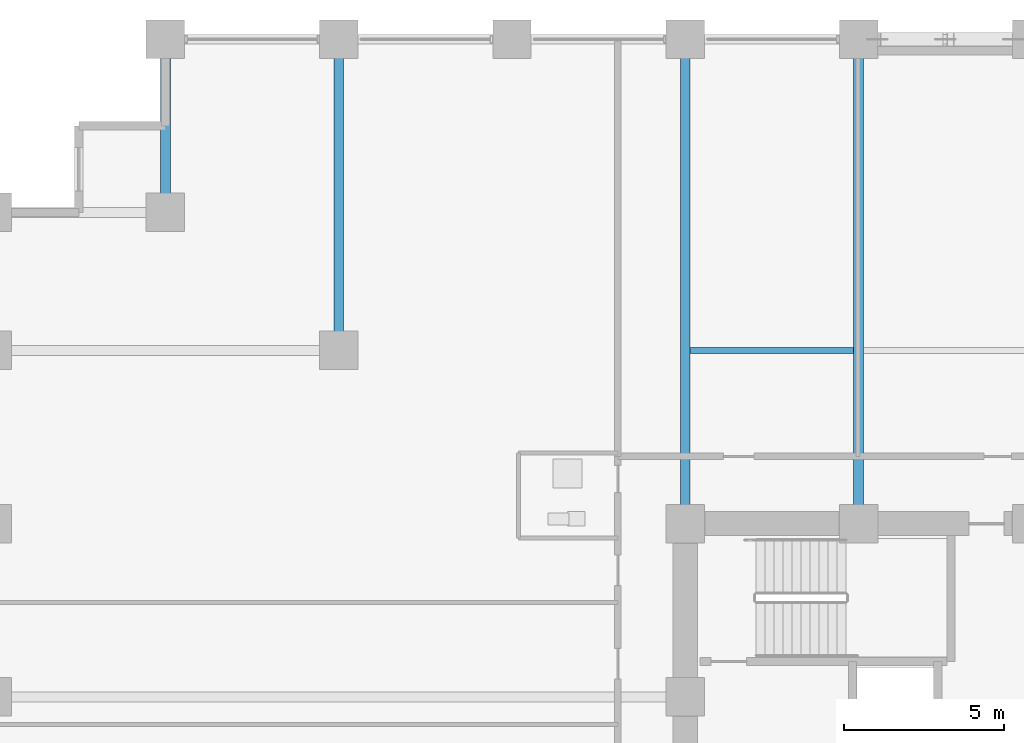
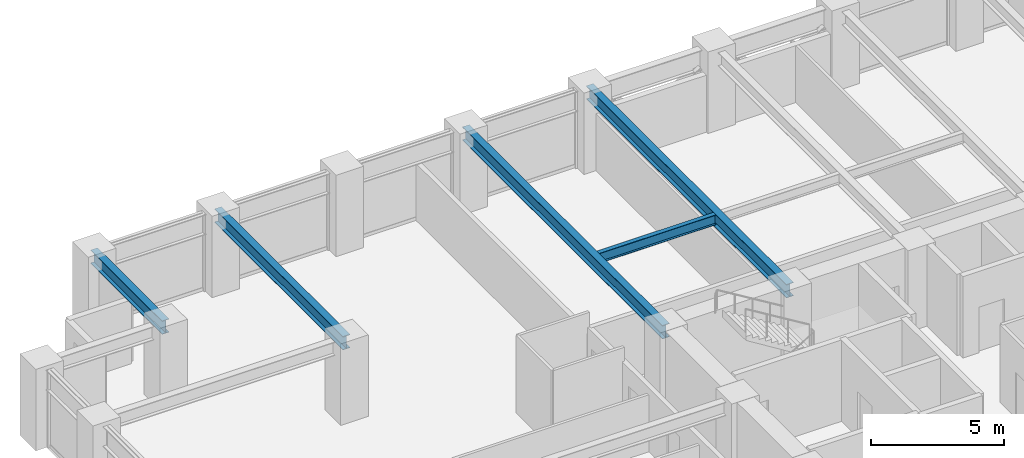
# One storey, part 11 of 28: 5 beams.
"""IFC4 building model written with IfcOpenShell, lengths in metres."""

from ifc_helpers import new_model, si_unit, direction, frame, origin, origin_2d, place, context, subcontext, project, spatial, i_section, extrude, material, material_profile, profile_set, type_object, element, save


model = new_model("IFC4")

# Units and contexts
model_context = context("Model", 3, precision=1e-05, world=origin(), true_north=direction((0.0, 1.0)))
body_context = subcontext(model_context, "Body", "Model", "MODEL_VIEW")
ifc_project = project(units=[si_unit("LENGTHUNIT", "METRE"), si_unit("AREAUNIT", "SQUARE_METRE"), si_unit("VOLUMEUNIT", "CUBIC_METRE"), si_unit("PLANEANGLEUNIT", "RADIAN"), si_unit("MASSUNIT", "GRAM", prefix="KILO")], contexts=[model_context])

# Site, building, storey
site_placement = place(None, origin())
site = spatial("IfcSite", under=ifc_project, at=site_placement, CompositionType="ELEMENT")
building_placement = place(site_placement, origin())
building = spatial("IfcBuilding", under=site, at=building_placement, Name="Surkhivell Harbour Commons", CompositionType="ELEMENT")
storey_placement = place(building_placement, frame((0.0, 0.0, 63.75)))
storey = spatial("IfcBuildingStorey", under=building, at=storey_placement, Name="L16", CompositionType="ELEMENT", Elevation=63.75)

# Beams
ifc_material = material(Name="Steel S355", Category="steel")
ifc_material_profile_1 = material_profile(ifc_material, i_section(OverallWidth=0.306884765625, OverallDepth=0.6201171875, WebThickness=0.01416015625, FlangeThickness=0.023681640625, at=origin_2d()), Name="UB610x305x179")
ifc_profile_set_1 = profile_set([ifc_material_profile_1], Name="Steel S355")
beam_type_1 = type_object("IfcBeamType", Name="BM-GRD-610A", PredefinedType="BEAM", material=ifc_profile_set_1)
beam_1_placement = place(storey_placement, frame((-27.0, 20.5, 3.260009765625), z_axis=(0.0, 1.0, 0.0), x_axis=(-1.0, 0.0, 0.0)))
element("IfcBeam", 1, at=beam_1_placement, inside=storey, type_object=beam_type_1, Name="L16 Floor Girder (-27.0,20.5)", PredefinedType="BEAM", context=body_context, shape_type="SweptSolid", body=[
    extrude(i_section(OverallWidth=0.306884765625, OverallDepth=0.6201171875, WebThickness=0.01416015625, FlangeThickness=0.023681640625, at=origin_2d()), origin(), (0.0, 0.0, 1.0), 5.39990234375),
])
beam_2_placement = place(storey_placement, frame((-21.60009765625, 16.199951171875, 3.260009765625), z_axis=(0.0, 1.0, 0.0), x_axis=(-1.0, 0.0, 0.0)))
element("IfcBeam", 2, at=beam_2_placement, inside=storey, type_object=beam_type_1, Name="L16 Floor Girder (-21.6,16.2)", PredefinedType="BEAM", context=body_context, shape_type="SweptSolid", body=[
    extrude(i_section(OverallWidth=0.306884765625, OverallDepth=0.6201171875, WebThickness=0.01416015625, FlangeThickness=0.023681640625, at=origin_2d()), origin(), (0.0, 0.0, 1.0), 9.699951171875),
])
for number, where, z_axis, x_axis, name in (
    (3, (-10.800048828125, 10.800048828125, 3.260009765625), (0.0, 1.0, 0.0), (-1.0, 0.0, 0.0), "L16 Floor Girder (-10.8,10.8)"),
    (4, (-5.39990234375, 10.800048828125, 3.260009765625), (0.0, 1.0, 0.0), (-1.0, 0.0, 0.0), "L16 Floor Girder (-5.4,10.8)"),
):
    element("IfcBeam", number, at=place(storey_placement, frame(where, z_axis=z_axis, x_axis=x_axis)), inside=storey, type_object=beam_type_1, Name=name, PredefinedType="BEAM", context=body_context, shape_type="SweptSolid", body=[
        extrude(i_section(OverallWidth=0.306884765625, OverallDepth=0.6201171875, WebThickness=0.01416015625, FlangeThickness=0.023681640625, at=origin_2d()), origin(), (0.0, 0.0, 1.0), 15.099853515625),
    ])
ifc_material_profile_2 = material_profile(ifc_material, i_section(OverallWidth=0.19189453125, OverallDepth=0.462890625, WebThickness=0.010498046875, FlangeThickness=0.017578125, at=origin_2d()), Name="UB457x191x89")
ifc_profile_set_2 = profile_set([ifc_material_profile_2], Name="Steel S355")
beam_type_2 = type_object("IfcBeamType", Name="BM-JST-457A", PredefinedType="JOIST", material=ifc_profile_set_2)
beam_3_placement = place(storey_placement, frame((-10.6484375, 16.199951171875, 3.33837890625), z_axis=(1.0, 0.0, 0.0), x_axis=(0.0, 1.0, 0.0)))
element("IfcBeam", 5, at=beam_3_placement, inside=storey, type_object=beam_type_2, Name="L16 North Composite Joist (-10.8)", PredefinedType="JOIST", context=body_context, shape_type="SweptSolid", body=[
    extrude(i_section(OverallWidth=0.19189453125, OverallDepth=0.462890625, WebThickness=0.010498046875, FlangeThickness=0.017578125, at=origin_2d()), origin(), (0.0, 0.0, 1.0), 5.096923828125),
])

save(model, "model.ifc")
